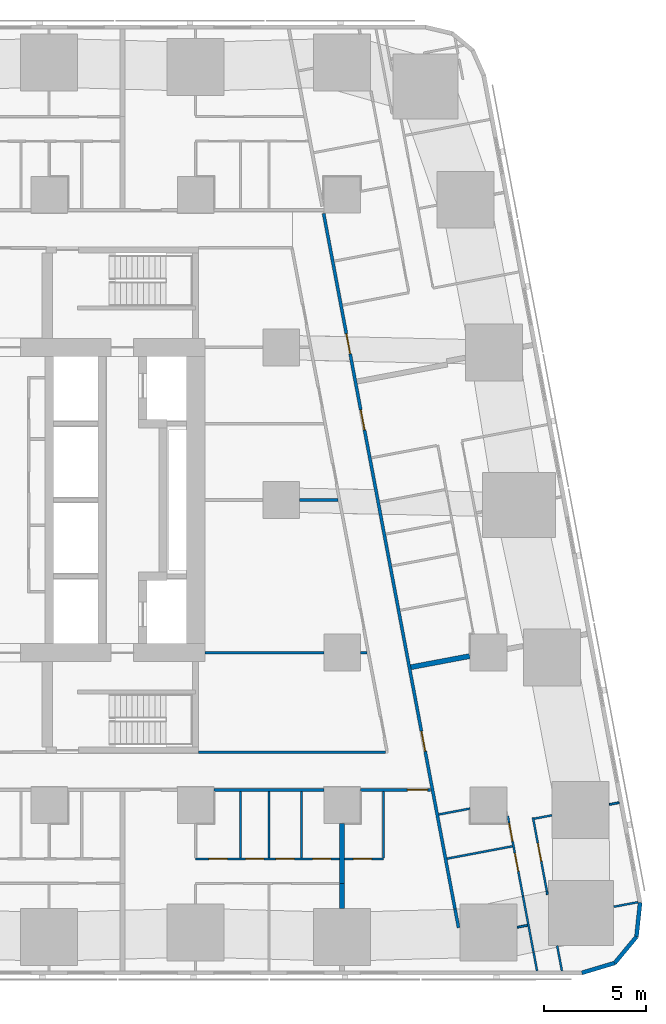
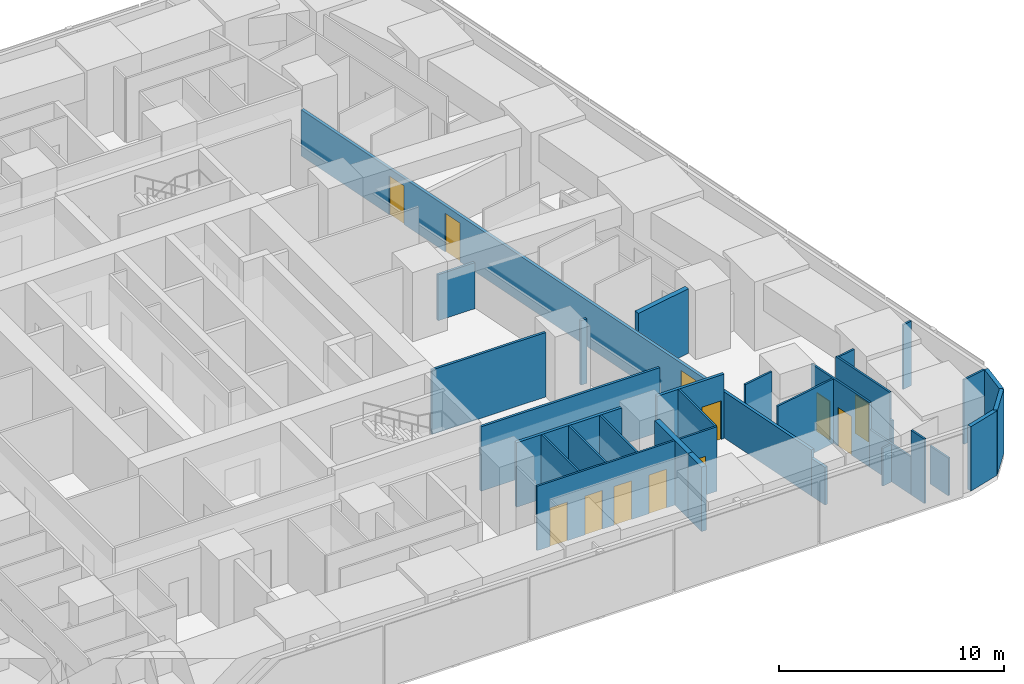
# One storey, part 9 of 18: 32 walls, 12 doors, 12 openings.
"""IFC4 building model written with IfcOpenShell, lengths in metres."""

from ifc_helpers import new_model, si_unit, direction, frame, frame_2d, origin, place, context, subcontext, project, spatial, rectangle, extrude, material, layer, layer_set, type_object, element, fill, save


model = new_model("IFC4")

# Units and contexts
model_context = context("Model", 3, precision=1e-05, world=origin(), true_north=direction((0.0, 1.0)))
body_context = subcontext(model_context, "Body", "Model", "MODEL_VIEW")
ifc_project = project(units=[si_unit("LENGTHUNIT", "METRE"), si_unit("AREAUNIT", "SQUARE_METRE"), si_unit("VOLUMEUNIT", "CUBIC_METRE"), si_unit("PLANEANGLEUNIT", "RADIAN"), si_unit("MASSUNIT", "GRAM", prefix="KILO")], contexts=[model_context])

# Site, building, storey
site_placement = place(None, origin())
site = spatial("IfcSite", under=ifc_project, at=site_placement, CompositionType="ELEMENT")
building_placement = place(site_placement, origin())
building = spatial("IfcBuilding", under=site, at=building_placement, Name="Sheger Commons Tower", CompositionType="ELEMENT")
storey_placement = place(building_placement, frame((0.0, 0.0, 38.75)))
storey = spatial("IfcBuildingStorey", under=building, at=storey_placement, Name="L09", CompositionType="ELEMENT", Elevation=38.75)

# Wall, opening, door
ifc_material_1 = material(Name="Hollow concrete block masonry, skimmed both sides", Category="masonry")
ifc_layer_1 = layer(ifc_material_1, 0.14990234375)
ifc_layer_set_1 = layer_set([ifc_layer_1], Name="CORRIDOR WALL 150")
wall_type_1 = type_object("IfcWallType", Name="CORRIDOR WALL 150", PredefinedType="SOLIDWALL", material=ifc_layer_set_1)
wall_1_placement = place(storey_placement, frame((40.35498046875, 8.25, 0.0), z_axis=(0.0, 0.0, 1.0), x_axis=(-1.0, 0.0, 0.0)))
wall_1 = element("IfcWall", 1, at=wall_1_placement, inside=storey, type_object=wall_type_1, Name="Corridor wall L09", PredefinedType="SOLIDWALL", context=body_context, shape_type="SweptSolid", body=[
    extrude(rectangle(XDim=3.4541015625, YDim=0.14990234375, at=frame_2d((1.72705078125, 0.0))), origin(), (0.0, 0.0, 1.0), 3.5),
])
opening_1_placement = place(wall_1_placement, frame((0.14990234375, 0.0, 0.0)))
opening_1 = element("IfcOpeningElement", 2, at=opening_1_placement, cuts=wall_1, Name="Opening D1", PredefinedType="OPENING", context=body_context, shape_type="SweptSolid", body=[
    extrude(rectangle(XDim=1.0, YDim=2.10009765625, at=frame_2d((0.5, 1.050048828125))), frame((0.0, 0.0849609375, 0.0), z_axis=(0.0, -1.0, 0.0), x_axis=(1.0, 0.0, 0.0)), (0.0, 0.0, 1.0), 0.169921875),
])
ifc_material_2 = material(Name="Steel door set, fire rated", Category="steel")
door_type_1 = type_object("IfcDoorType", Name="FLAT ENTRANCE DOOR 1000x2100", OperationType="NOTDEFINED", PredefinedType="DOOR", material=ifc_material_2)
door_1_placement = place(opening_1_placement, origin())
door_1 = element("IfcDoor", 3, at=door_1_placement, inside=storey, type_object=door_type_1, Name="Flat entrance door", OperationType="SINGLE_SWING_LEFT", OverallHeight=2.10009765625, OverallWidth=1.0, PredefinedType="DOOR", context=body_context, shape_type="SweptSolid", body=[
    extrude(rectangle(XDim=1.0, YDim=2.10009765625, at=frame_2d((0.5, 1.050048828125))), frame((0.0, 0.02490234375, 0.0), z_axis=(0.0, -1.0, 0.0), x_axis=(1.0, 0.0, 0.0)), (0.0, 0.0, 1.0), 0.050048828125),
])
fill(opening_1, door_1)

# Wall
wall_2_placement = place(storey_placement, frame((35.09912109375, 8.25, 0.0), z_axis=(0.0, 0.0, 1.0), x_axis=(-1.0, 0.0, 0.0)))
element("IfcWall", 4, at=wall_2_placement, inside=storey, type_object=wall_type_1, Name="Corridor wall L09", PredefinedType="SOLIDWALL", context=body_context, shape_type="SweptSolid", body=[
    extrude(rectangle(XDim=5.398193359375, YDim=0.14990234375, at=frame_2d((2.69921875, 0.0))), origin(), (0.0, 0.0, 1.0), 3.5),
])

# Wall, openings, doors
wall_3_placement = place(storey_placement, frame((35.093994140625, 36.5849609375, 0.0), z_axis=(0.0, 0.0, 1.0), x_axis=(0.185588860311, -0.982627485331, 0.0)))
wall_3 = element("IfcWall", 5, at=wall_3_placement, inside=storey, type_object=wall_type_1, Name="Corridor wall L09", PredefinedType="SOLIDWALL", context=body_context, shape_type="SweptSolid", body=[
    extrude(rectangle(XDim=34.79736328125, YDim=0.14990234375, at=frame_2d((17.398681640625, 0.0))), origin(), (0.0, 0.0, 1.0), 2.5),
])
opening_2_placement = place(wall_3_placement, frame((6.011962890625, 0.0, 0.0)))
opening_2 = element("IfcOpeningElement", 6, at=opening_2_placement, cuts=wall_3, Name="Opening D1", PredefinedType="OPENING", context=body_context, shape_type="SweptSolid", body=[
    extrude(rectangle(XDim=1.0, YDim=2.10009765625, at=frame_2d((0.5, 1.050048828125))), frame((0.0, 0.0849609375, 0.0), z_axis=(0.0, -1.0, 0.0), x_axis=(1.0, 0.0, 0.0)), (0.0, 0.0, 1.0), 0.169921875),
])
opening_3_placement = place(wall_3_placement, frame((9.827880859375, 0.0, 0.0)))
opening_3 = element("IfcOpeningElement", 7, at=opening_3_placement, cuts=wall_3, Name="Opening D1", PredefinedType="OPENING", context=body_context, shape_type="SweptSolid", body=[
    extrude(rectangle(XDim=1.0, YDim=2.10009765625, at=frame_2d((0.5, 1.050048828125))), frame((0.0, 0.0849609375, 0.0), z_axis=(0.0, -1.0, 0.0), x_axis=(1.0, 0.0, 0.0)), (0.0, 0.0, 1.0), 0.169921875),
])
opening_4_placement = place(wall_3_placement, frame((25.89990234375, 0.0, 0.0)))
opening_4 = element("IfcOpeningElement", 8, at=opening_4_placement, cuts=wall_3, Name="Opening D1", PredefinedType="OPENING", context=body_context, shape_type="SweptSolid", body=[
    extrude(rectangle(XDim=1.0, YDim=2.10009765625, at=frame_2d((0.5, 1.050048828125))), frame((0.0, 0.0849609375, 0.0), z_axis=(0.0, -1.0, 0.0), x_axis=(1.0, 0.0, 0.0)), (0.0, 0.0, 1.0), 0.169921875),
])
door_2_placement = place(opening_2_placement, origin())
door_2 = element("IfcDoor", 9, at=door_2_placement, inside=storey, type_object=door_type_1, Name="Flat entrance door", OperationType="SINGLE_SWING_RIGHT", OverallHeight=2.10009765625, OverallWidth=1.0, PredefinedType="DOOR", context=body_context, shape_type="SweptSolid", body=[
    extrude(rectangle(XDim=1.0, YDim=2.10009765625, at=frame_2d((0.5, 1.050048828125))), frame((0.0, 0.02490234375, 0.0), z_axis=(0.0, -1.0, 0.0), x_axis=(1.0, 0.0, 0.0)), (0.0, 0.0, 1.0), 0.050048828125),
])
fill(opening_2, door_2)
door_3_placement = place(opening_3_placement, origin())
door_3 = element("IfcDoor", 10, at=door_3_placement, inside=storey, type_object=door_type_1, Name="Flat entrance door", OperationType="SINGLE_SWING_LEFT", OverallHeight=2.10009765625, OverallWidth=1.0, PredefinedType="DOOR", context=body_context, shape_type="SweptSolid", body=[
    extrude(rectangle(XDim=1.0, YDim=2.10009765625, at=frame_2d((0.5, 1.050048828125))), frame((0.0, 0.02490234375, 0.0), z_axis=(0.0, -1.0, 0.0), x_axis=(1.0, 0.0, 0.0)), (0.0, 0.0, 1.0), 0.050048828125),
])
fill(opening_3, door_3)
door_4_placement = place(opening_4_placement, origin())
door_4 = element("IfcDoor", 11, at=door_4_placement, inside=storey, type_object=door_type_1, Name="Flat entrance door", OperationType="SINGLE_SWING_LEFT", OverallHeight=2.10009765625, OverallWidth=1.0, PredefinedType="DOOR", context=body_context, shape_type="SweptSolid", body=[
    extrude(rectangle(XDim=1.0, YDim=2.10009765625, at=frame_2d((0.5, 1.050048828125))), frame((0.0, 0.02490234375, 0.0), z_axis=(0.0, -1.0, 0.0), x_axis=(1.0, 0.0, 0.0)), (0.0, 0.0, 1.0), 0.050048828125),
])
fill(opening_4, door_4)

# Walls
wall_4_placement = place(storey_placement, frame((41.552001953125, 2.39208984375, 0.0), z_axis=(0.0, 0.0, 1.0), x_axis=(0.185687800081, -0.982608793417, 0.0)))
element("IfcWall", 12, at=wall_4_placement, inside=storey, type_object=wall_type_1, Name="Corridor wall L09", PredefinedType="SOLIDWALL", context=body_context, shape_type="SweptSolid", body=[
    extrude(rectangle(XDim=0.9375, YDim=0.14990234375, at=frame_2d((0.46875, 0.0))), origin(), (0.0, 0.0, 1.0), 2.050048828125),
])
ifc_material_3 = material(Name="Dense concrete block masonry, plastered both sides (separating wall between flats)", Category="masonry")
ifc_layer_2 = layer(ifc_material_3, 0.25)
ifc_layer_set_2 = layer_set([ifc_layer_2], Name="DEMISING WALL 250")
wall_type_2 = type_object("IfcWallType", Name="DEMISING WALL 250", PredefinedType="SOLIDWALL", material=ifc_layer_set_2)
wall_5_placement = place(storey_placement, frame((36.0, 2.426025390625, 0.0), z_axis=(0.0, 0.0, 1.0), x_axis=(0.0, 1.0, 0.0)))
element("IfcWall", 13, at=wall_5_placement, inside=storey, type_object=wall_type_2, Name="Demising wall L09", PredefinedType="SOLIDWALL", context=body_context, shape_type="SweptSolid", body=[
    extrude(rectangle(XDim=1.223876953125, YDim=0.25, at=frame_2d((0.61181640625, 0.0))), origin(), (0.0, 0.0, 1.0), 3.5),
])
wall_6_placement = place(storey_placement, frame((36.0, 3.64990234375, 0.0), z_axis=(0.0, 0.0, 1.0), x_axis=(0.0, 1.0, 0.0)))
element("IfcWall", 14, at=wall_6_placement, inside=storey, type_object=wall_type_2, Name="Demising wall L09", PredefinedType="SOLIDWALL", context=body_context, shape_type="SweptSolid", body=[
    extrude(rectangle(XDim=2.94921875, YDim=0.25, at=frame_2d((1.474609375, 0.0))), origin(), (0.0, 0.0, 1.0), 3.5),
])
wall_7_placement = place(storey_placement, frame((42.27587890625, 14.824951171875, 0.0), z_axis=(0.0, 0.0, 1.0), x_axis=(-0.982656521819, -0.185435056358, 0.0)))
element("IfcWall", 15, at=wall_7_placement, inside=storey, type_object=wall_type_2, Name="Demising wall L09", PredefinedType="SOLIDWALL", context=body_context, shape_type="SweptSolid", body=[
    extrude(rectangle(XDim=2.94384765625, YDim=0.25, at=frame_2d((1.471923828125, 0.0))), origin(), (0.0, 0.0, 1.0), 3.5),
])
ifc_material_4 = material(Name="Rendered concrete block masonry, dark grey", Category="masonry")
ifc_layer_3 = layer(ifc_material_4, 0.199951171875)
ifc_layer_set_3 = layer_set([ifc_layer_3], Name="FACADE WALL 200")
wall_type_3 = type_object("IfcWallType", Name="FACADE WALL 200", PredefinedType="SOLIDWALL", material=ifc_layer_set_3)
wall_8_placement = place(storey_placement, frame((47.791015625, -0.75, 0.0), z_axis=(0.0, 0.0, 1.0), x_axis=(0.957455232626, 0.288581838509, 0.0)))
element("IfcWall", 16, at=wall_8_placement, inside=storey, type_object=wall_type_3, Name="Facade wall L09", PredefinedType="SOLIDWALL", context=body_context, shape_type="SweptSolid", body=[
    extrude(rectangle(XDim=1.687744140625, YDim=0.199951171875, at=frame_2d((0.84375, 0.0))), origin(), (0.0, 0.0, 1.0), 3.5),
])
wall_9_placement = place(storey_placement, frame((49.406982421875, -0.262939453125, 0.0), z_axis=(0.0, 0.0, 1.0), x_axis=(0.638042593423, 0.770001070764, 0.0)))
element("IfcWall", 17, at=wall_9_placement, inside=storey, type_object=wall_type_3, Name="Facade wall L09", PredefinedType="SOLIDWALL", context=body_context, shape_type="SweptSolid", body=[
    extrude(rectangle(XDim=1.672607421875, YDim=0.199951171875, at=frame_2d((0.83642578125, 0.0))), origin(), (0.0, 0.0, 1.0), 3.5),
])
wall_10_placement = place(storey_placement, frame((50.47412109375, 1.02490234375, 0.0), z_axis=(0.0, 0.0, 1.0), x_axis=(0.106047815515, 0.994361031429, 0.0)))
element("IfcWall", 18, at=wall_10_placement, inside=storey, type_object=wall_type_3, Name="Facade wall L09", PredefinedType="SOLIDWALL", context=body_context, shape_type="SweptSolid", body=[
    extrude(rectangle(XDim=1.6875, YDim=0.199951171875, at=frame_2d((0.84375, 0.0))), origin(), (0.0, 0.0, 1.0), 3.5),
])

# Wall, openings, doors
ifc_material_5 = material(Name="Gypsum board on steel studs", Category="steel")
ifc_layer_4 = layer(ifc_material_5, 0.10009765625)
ifc_layer_set_4 = layer_set([ifc_layer_4], Name="PARTITION 100")
wall_type_4 = type_object("IfcWallType", Name="PARTITION 100", PredefinedType="PARTITIONING", material=ifc_layer_set_4)
wall_11_placement = place(storey_placement, frame((35.875, 4.85009765625, 0.0), z_axis=(0.0, 0.0, 1.0), x_axis=(-1.0, 0.0, 0.0)))
wall_11 = element("IfcWall", 19, at=wall_11_placement, inside=storey, type_object=wall_type_4, Name="Partition L09", PredefinedType="PARTITIONING", context=body_context, shape_type="SweptSolid", body=[
    extrude(rectangle(XDim=7.074951171875, YDim=0.10009765625, at=frame_2d((3.53759765625, 0.0))), origin(), (0.0, 0.0, 1.0), 3.5),
])
opening_5_placement = place(wall_11_placement, frame((5.52001953125, 0.0, 0.0)))
opening_5 = element("IfcOpeningElement", 20, at=opening_5_placement, cuts=wall_11, Name="Opening D2", PredefinedType="OPENING", context=body_context, shape_type="SweptSolid", body=[
    extrude(rectangle(XDim=0.89990234375, YDim=2.10009765625, at=frame_2d((0.449951171875, 1.050048828125))), frame((0.0, 0.06005859375, 0.0), z_axis=(0.0, -1.0, 0.0), x_axis=(1.0, 0.0, 0.0)), (0.0, 0.0, 1.0), 0.1201171875),
])
opening_6_placement = place(wall_11_placement, frame((2.22509765625, 0.0, 0.0)))
opening_6 = element("IfcOpeningElement", 21, at=opening_6_placement, cuts=wall_11, Name="Opening D2", PredefinedType="OPENING", context=body_context, shape_type="SweptSolid", body=[
    extrude(rectangle(XDim=0.89990234375, YDim=2.10009765625, at=frame_2d((0.449951171875, 1.050048828125))), frame((0.0, 0.06005859375, 0.0), z_axis=(0.0, -1.0, 0.0), x_axis=(1.0, 0.0, 0.0)), (0.0, 0.0, 1.0), 0.1201171875),
])
opening_7_placement = place(wall_11_placement, frame((3.719970703125, 0.0, 0.0)))
opening_7 = element("IfcOpeningElement", 22, at=opening_7_placement, cuts=wall_11, Name="Opening D2", PredefinedType="OPENING", context=body_context, shape_type="SweptSolid", body=[
    extrude(rectangle(XDim=0.89990234375, YDim=2.10009765625, at=frame_2d((0.449951171875, 1.050048828125))), frame((0.0, 0.06005859375, 0.0), z_axis=(0.0, -1.0, 0.0), x_axis=(1.0, 0.0, 0.0)), (0.0, 0.0, 1.0), 0.1201171875),
])
opening_8_placement = place(wall_11_placement, frame((0.425048828125, 0.0, 0.0)))
opening_8 = element("IfcOpeningElement", 23, at=opening_8_placement, cuts=wall_11, Name="Opening D2", PredefinedType="OPENING", context=body_context, shape_type="SweptSolid", body=[
    extrude(rectangle(XDim=0.89990234375, YDim=2.10009765625, at=frame_2d((0.449951171875, 1.050048828125))), frame((0.0, 0.06005859375, 0.0), z_axis=(0.0, -1.0, 0.0), x_axis=(1.0, 0.0, 0.0)), (0.0, 0.0, 1.0), 0.1201171875),
])
ifc_material_6 = material(Name="Timber door set", Category="wood")
door_type_2 = type_object("IfcDoorType", Name="INTERNAL DOOR 900x2100", OperationType="NOTDEFINED", PredefinedType="DOOR", material=ifc_material_6)
door_5_placement = place(opening_5_placement, origin())
door_5 = element("IfcDoor", 24, at=door_5_placement, inside=storey, type_object=door_type_2, Name="Bathroom door", OperationType="SINGLE_SWING_LEFT", OverallHeight=2.10009765625, OverallWidth=0.89990234375, PredefinedType="DOOR", context=body_context, shape_type="SweptSolid", body=[
    extrude(rectangle(XDim=0.89990234375, YDim=2.10009765625, at=frame_2d((0.449951171875, 1.050048828125))), frame((0.0, 0.02490234375, 0.0), z_axis=(0.0, -1.0, 0.0), x_axis=(1.0, 0.0, 0.0)), (0.0, 0.0, 1.0), 0.050048828125),
])
fill(opening_5, door_5)
door_6_placement = place(opening_6_placement, origin())
door_6 = element("IfcDoor", 25, at=door_6_placement, inside=storey, type_object=door_type_2, Name="Shower room door", OperationType="SINGLE_SWING_LEFT", OverallHeight=2.10009765625, OverallWidth=0.89990234375, PredefinedType="DOOR", context=body_context, shape_type="SweptSolid", body=[
    extrude(rectangle(XDim=0.89990234375, YDim=2.10009765625, at=frame_2d((0.449951171875, 1.050048828125))), frame((0.0, 0.02490234375, 0.0), z_axis=(0.0, -1.0, 0.0), x_axis=(1.0, 0.0, 0.0)), (0.0, 0.0, 1.0), 0.050048828125),
])
fill(opening_6, door_6)
door_7_placement = place(opening_7_placement, origin())
door_7 = element("IfcDoor", 26, at=door_7_placement, inside=storey, type_object=door_type_2, Name="Store door", OperationType="SINGLE_SWING_LEFT", OverallHeight=2.10009765625, OverallWidth=0.89990234375, PredefinedType="DOOR", context=body_context, shape_type="SweptSolid", body=[
    extrude(rectangle(XDim=0.89990234375, YDim=2.10009765625, at=frame_2d((0.449951171875, 1.050048828125))), frame((0.0, 0.02490234375, 0.0), z_axis=(0.0, -1.0, 0.0), x_axis=(1.0, 0.0, 0.0)), (0.0, 0.0, 1.0), 0.050048828125),
])
fill(opening_7, door_7)
door_8_placement = place(opening_8_placement, origin())
door_8 = element("IfcDoor", 27, at=door_8_placement, inside=storey, type_object=door_type_2, Name="Store door", OperationType="SINGLE_SWING_RIGHT", OverallHeight=2.10009765625, OverallWidth=0.89990234375, PredefinedType="DOOR", context=body_context, shape_type="SweptSolid", body=[
    extrude(rectangle(XDim=0.89990234375, YDim=2.10009765625, at=frame_2d((0.449951171875, 1.050048828125))), frame((0.0, 0.02490234375, 0.0), z_axis=(0.0, -1.0, 0.0), x_axis=(1.0, 0.0, 0.0)), (0.0, 0.0, 1.0), 0.050048828125),
])
fill(opening_8, door_8)

# Walls
for number, where, z_axis, x_axis, name in (
    (28, (32.39990234375, 4.89990234375, 0.0), (0.0, 0.0, 1.0), (0.0, 1.0, 0.0), "Partition L09"),
    (29, (31.010009765625, 4.89990234375, 0.0), (0.0, 0.0, 1.0), (0.0, 1.0, 0.0), "Partition L09"),
    (30, (34.0, 4.89990234375, 0.0), (0.0, 0.0, 1.0), (0.0, 1.0, 0.0), "Partition L09"),
):
    element("IfcWall", number, at=place(storey_placement, frame(where, z_axis=z_axis, x_axis=x_axis)), inside=storey, type_object=wall_type_4, Name=name, PredefinedType="PARTITIONING", context=body_context, shape_type="SweptSolid", body=[
        extrude(rectangle(XDim=3.275146484375, YDim=0.10009765625, at=frame_2d((1.6376953125, 0.0))), origin(), (0.0, 0.0, 1.0), 3.5),
    ])

# Wall, opening, door
wall_12_placement = place(storey_placement, frame((38.029052734375, 4.85009765625, 0.0), z_axis=(0.0, 0.0, 1.0), x_axis=(-1.0, 0.0, 0.0)))
wall_12 = element("IfcWall", 31, at=wall_12_placement, inside=storey, type_object=wall_type_4, Name="Partition L09", PredefinedType="PARTITIONING", context=body_context, shape_type="SweptSolid", body=[
    extrude(rectangle(XDim=1.904052734375, YDim=0.10009765625, at=frame_2d((0.9521484375, 0.0))), origin(), (0.0, 0.0, 1.0), 3.5),
])
opening_9_placement = place(wall_12_placement, frame((0.5791015625, 0.0, 0.0)))
opening_9 = element("IfcOpeningElement", 32, at=opening_9_placement, cuts=wall_12, Name="Opening D2", PredefinedType="OPENING", context=body_context, shape_type="SweptSolid", body=[
    extrude(rectangle(XDim=0.89990234375, YDim=2.10009765625, at=frame_2d((0.449951171875, 1.050048828125))), frame((0.0, 0.06005859375, 0.0), z_axis=(0.0, -1.0, 0.0), x_axis=(1.0, 0.0, 0.0)), (0.0, 0.0, 1.0), 0.1201171875),
])
door_9_placement = place(opening_9_placement, origin())
door_9 = element("IfcDoor", 33, at=door_9_placement, inside=storey, type_object=door_type_2, Name="Shower room door", OperationType="SINGLE_SWING_LEFT", OverallHeight=2.10009765625, OverallWidth=0.89990234375, PredefinedType="DOOR", context=body_context, shape_type="SweptSolid", body=[
    extrude(rectangle(XDim=0.89990234375, YDim=2.10009765625, at=frame_2d((0.449951171875, 1.050048828125))), frame((0.0, 0.02490234375, 0.0), z_axis=(0.0, -1.0, 0.0), x_axis=(1.0, 0.0, 0.0)), (0.0, 0.0, 1.0), 0.050048828125),
])
fill(opening_9, door_9)

# Wall
wall_13_placement = place(storey_placement, frame((38.029052734375, 4.89990234375, 0.0), z_axis=(0.0, 0.0, 1.0), x_axis=(0.0, 1.0, 0.0)))
element("IfcWall", 34, at=wall_13_placement, inside=storey, type_object=wall_type_4, Name="Partition L09", PredefinedType="PARTITIONING", context=body_context, shape_type="SweptSolid", body=[
    extrude(rectangle(XDim=3.275146484375, YDim=0.10009765625, at=frame_2d((1.6376953125, 0.0))), origin(), (0.0, 0.0, 1.0), 3.5),
])

# Wall, opening, door
wall_14_placement = place(storey_placement, frame((45.383056640625, 6.89404296875, 0.0), z_axis=(0.0, 0.0, 1.0), x_axis=(0.185791461635, -0.982589198385, 0.0)))
wall_14 = element("IfcWall", 35, at=wall_14_placement, inside=storey, type_object=wall_type_4, Name="Partition L09", PredefinedType="PARTITIONING", context=body_context, shape_type="SweptSolid", body=[
    extrude(rectangle(XDim=3.687255859375, YDim=0.10009765625, at=frame_2d((1.84375, 0.0))), origin(), (0.0, 0.0, 1.0), 3.5),
])
opening_10_placement = place(wall_14_placement, frame((1.300048828125, 0.0, 0.0)))
opening_10 = element("IfcOpeningElement", 36, at=opening_10_placement, cuts=wall_14, Name="Opening D2", PredefinedType="OPENING", context=body_context, shape_type="SweptSolid", body=[
    extrude(rectangle(XDim=0.89990234375, YDim=2.10009765625, at=frame_2d((0.449951171875, 1.050048828125))), frame((0.0, 0.06005859375, 0.0), z_axis=(0.0, -1.0, 0.0), x_axis=(1.0, 0.0, 0.0)), (0.0, 0.0, 1.0), 0.1201171875),
])
door_10_placement = place(opening_10_placement, origin())
door_10 = element("IfcDoor", 37, at=door_10_placement, inside=storey, type_object=door_type_2, Name="Main bedroom door", OperationType="SINGLE_SWING_LEFT", OverallHeight=2.10009765625, OverallWidth=0.89990234375, PredefinedType="DOOR", context=body_context, shape_type="SweptSolid", body=[
    extrude(rectangle(XDim=0.89990234375, YDim=2.10009765625, at=frame_2d((0.449951171875, 1.050048828125))), frame((0.0, 0.02490234375, 0.0), z_axis=(0.0, -1.0, 0.0), x_axis=(1.0, 0.0, 0.0)), (0.0, 0.0, 1.0), 0.050048828125),
])
fill(opening_10, door_10)

# Walls
wall_15_placement = place(storey_placement, frame((46.068115234375, 3.27099609375, 0.0), z_axis=(0.0, 0.0, 1.0), x_axis=(0.183590240121, -0.98300286049, 0.0)))
element("IfcWall", 38, at=wall_15_placement, inside=storey, type_object=wall_type_4, Name="Partition L09", PredefinedType="PARTITIONING", context=body_context, shape_type="SweptSolid", body=[
    extrude(rectangle(XDim=0.1689453125, YDim=0.10009765625, at=frame_2d((0.08447265625, 0.0))), origin(), (0.0, 0.0, 1.0), 2.050048828125),
])
wall_16_placement = place(storey_placement, frame((46.573974609375, 0.5869140625, 0.0), z_axis=(0.0, 0.0, 1.0), x_axis=(0.185997942803, -0.98255013372, 0.0)))
element("IfcWall", 39, at=wall_16_placement, inside=storey, type_object=wall_type_4, Name="Partition L09", PredefinedType="PARTITIONING", context=body_context, shape_type="SweptSolid", body=[
    extrude(rectangle(XDim=1.2587890625, YDim=0.10009765625, at=frame_2d((0.62939453125, 0.0))), origin(), (0.0, 0.0, 1.0), 2.050048828125),
])

# Wall, openings, doors
wall_17_placement = place(storey_placement, frame((44.14892578125, 6.9599609375, 0.0), z_axis=(0.0, 0.0, 1.0), x_axis=(0.185824941804, -0.982582867245, 0.0)))
wall_17 = element("IfcWall", 40, at=wall_17_placement, inside=storey, type_object=wall_type_4, Name="Partition L09", PredefinedType="PARTITIONING", context=body_context, shape_type="SweptSolid", body=[
    extrude(rectangle(XDim=4.009765625, YDim=0.10009765625, at=frame_2d((2.0048828125, 0.0))), origin(), (0.0, 0.0, 1.0), 3.5),
])
opening_11_placement = place(wall_17_placement, frame((0.35009765625, 0.0, 0.0)))
opening_11 = element("IfcOpeningElement", 41, at=opening_11_placement, cuts=wall_17, Name="Opening D2", PredefinedType="OPENING", context=body_context, shape_type="SweptSolid", body=[
    extrude(rectangle(XDim=0.89990234375, YDim=2.10009765625, at=frame_2d((0.449951171875, 1.050048828125))), frame((0.0, 0.06005859375, 0.0), z_axis=(0.0, -1.0, 0.0), x_axis=(1.0, 0.0, 0.0)), (0.0, 0.0, 1.0), 0.1201171875),
])
opening_12_placement = place(wall_17_placement, frame((1.85595703125, 0.0, 0.0)))
opening_12 = element("IfcOpeningElement", 42, at=opening_12_placement, cuts=wall_17, Name="Opening D2", PredefinedType="OPENING", context=body_context, shape_type="SweptSolid", body=[
    extrude(rectangle(XDim=0.89990234375, YDim=2.10009765625, at=frame_2d((0.449951171875, 1.050048828125))), frame((0.0, 0.06005859375, 0.0), z_axis=(0.0, -1.0, 0.0), x_axis=(1.0, 0.0, 0.0)), (0.0, 0.0, 1.0), 0.1201171875),
])
door_11_placement = place(opening_11_placement, origin())
door_11 = element("IfcDoor", 43, at=door_11_placement, inside=storey, type_object=door_type_2, Name="Bathroom door", OperationType="SINGLE_SWING_RIGHT", OverallHeight=2.10009765625, OverallWidth=0.89990234375, PredefinedType="DOOR", context=body_context, shape_type="SweptSolid", body=[
    extrude(rectangle(XDim=0.89990234375, YDim=2.10009765625, at=frame_2d((0.449951171875, 1.050048828125))), frame((0.0, 0.02490234375, 0.0), z_axis=(0.0, -1.0, 0.0), x_axis=(1.0, 0.0, 0.0)), (0.0, 0.0, 1.0), 0.050048828125),
])
fill(opening_11, door_11)
door_12_placement = place(opening_12_placement, origin())
door_12 = element("IfcDoor", 44, at=door_12_placement, inside=storey, type_object=door_type_2, Name="Store door", OperationType="SINGLE_SWING_RIGHT", OverallHeight=2.10009765625, OverallWidth=0.89990234375, PredefinedType="DOOR", context=body_context, shape_type="SweptSolid", body=[
    extrude(rectangle(XDim=0.89990234375, YDim=2.10009765625, at=frame_2d((0.449951171875, 1.050048828125))), frame((0.0, 0.02490234375, 0.0), z_axis=(0.0, -1.0, 0.0), x_axis=(1.0, 0.0, 0.0)), (0.0, 0.0, 1.0), 0.050048828125),
])
fill(opening_12, door_12)

# Walls
wall_18_placement = place(storey_placement, frame((44.89404296875, 3.02001953125, 0.0), z_axis=(0.0, 0.0, 1.0), x_axis=(0.185471317237, -0.982649678412, 0.0)))
element("IfcWall", 45, at=wall_18_placement, inside=storey, type_object=wall_type_4, Name="Partition L09", PredefinedType="PARTITIONING", context=body_context, shape_type="SweptSolid", body=[
    extrude(rectangle(XDim=2.8037109375, YDim=0.10009765625, at=frame_2d((1.40185546875, 0.0))), origin(), (0.0, 0.0, 1.0), 2.050048828125),
])
wall_19_placement = place(storey_placement, frame((45.4140625, 0.264892578125, 0.0), z_axis=(0.0, 0.0, 1.0), x_axis=(0.185665855771, -0.982612940074, 0.0)))
element("IfcWall", 46, at=wall_19_placement, inside=storey, type_object=wall_type_4, Name="Partition L09", PredefinedType="PARTITIONING", context=body_context, shape_type="SweptSolid", body=[
    extrude(rectangle(XDim=0.930908203125, YDim=0.10009765625, at=frame_2d((0.46533203125, 0.0))), origin(), (0.0, 0.0, 1.0), 3.5),
])
wall_20_placement = place(storey_placement, frame((49.6220703125, 7.6201171875, 0.0), z_axis=(0.0, 0.0, 1.0), x_axis=(-0.982629142467, -0.185580086147, 0.0)))
element("IfcWall", 47, at=wall_20_placement, inside=storey, type_object=wall_type_4, Name="Partition L09", PredefinedType="PARTITIONING", context=body_context, shape_type="SweptSolid", body=[
    extrude(rectangle(XDim=0.49072265625, YDim=0.10009765625, at=frame_2d((0.245361328125, 0.0))), origin(), (0.0, 0.0, 1.0), 3.5),
])
wall_21_placement = place(storey_placement, frame((46.320068359375, 6.9970703125, 0.0), z_axis=(0.0, 0.0, 1.0), x_axis=(-0.982635224332, -0.185547880349, 0.0)))
element("IfcWall", 48, at=wall_21_placement, inside=storey, type_object=wall_type_4, Name="Partition L09", PredefinedType="PARTITIONING", context=body_context, shape_type="SweptSolid", body=[
    extrude(rectangle(XDim=0.889404296875, YDim=0.10009765625, at=frame_2d((0.44482421875, 0.0))), origin(), (0.0, 0.0, 1.0), 3.5),
])
wall_22_placement = place(storey_placement, frame((50.547119140625, 2.72607421875, 0.0), z_axis=(0.0, 0.0, 1.0), x_axis=(-0.982553313503, -0.185981144539, 0.0)))
element("IfcWall", 49, at=wall_22_placement, inside=storey, type_object=wall_type_4, Name="Partition L09", PredefinedType="PARTITIONING", context=body_context, shape_type="SweptSolid", body=[
    extrude(rectangle(XDim=1.210205078125, YDim=0.10009765625, at=frame_2d((0.60498046875, 0.0))), origin(), (0.0, 0.0, 1.0), 3.5),
])
wall_23_placement = place(storey_placement, frame((42.2900390625, 7.3291015625, 0.0), z_axis=(0.0, 0.0, 1.0), x_axis=(-0.98258870752, -0.18579405764, 0.0)))
element("IfcWall", 50, at=wall_23_placement, inside=storey, type_object=wall_type_4, Name="Partition L09", PredefinedType="PARTITIONING", context=body_context, shape_type="SweptSolid", body=[
    extrude(rectangle(XDim=1.56640625, YDim=0.10009765625, at=frame_2d((0.783203125, 0.0))), origin(), (0.0, 0.0, 1.0), 3.5),
])
wall_24_placement = place(storey_placement, frame((45.114013671875, 1.5869140625, 0.0), z_axis=(0.0, 0.0, 1.0), x_axis=(-0.982699277433, -0.185208342501, 0.0)))
element("IfcWall", 51, at=wall_24_placement, inside=storey, type_object=wall_type_4, Name="Partition L09", PredefinedType="PARTITIONING", context=body_context, shape_type="SweptSolid", body=[
    extrude(rectangle(XDim=0.5126953125, YDim=0.10009765625, at=frame_2d((0.25634765625, 0.0))), origin(), (0.0, 0.0, 1.0), 2.050048828125),
])
wall_25_placement = place(storey_placement, frame((44.37890625, 5.47412109375, 0.0), z_axis=(0.0, 0.0, 1.0), x_axis=(-0.982607026909, -0.185697147715, 0.0)))
element("IfcWall", 52, at=wall_25_placement, inside=storey, type_object=wall_type_4, Name="Partition L09", PredefinedType="PARTITIONING", context=body_context, shape_type="SweptSolid", body=[
    extrude(rectangle(XDim=3.27490234375, YDim=0.10009765625, at=frame_2d((1.637451171875, 0.0))), origin(), (0.0, 0.0, 1.0), 3.5),
])
ifc_material_7 = material(Name="Gypsum board on steel studs, two layers each side, fire rated", Category="steel")
ifc_layer_5 = layer(ifc_material_7, 0.125)
ifc_layer_set_5 = layer_set([ifc_layer_5], Name="SERVICE WALL 125")
wall_type_5 = type_object("IfcWallType", Name="SERVICE WALL 125", PredefinedType="PARTITIONING", material=ifc_layer_set_5)
wall_26_placement = place(storey_placement, frame((28.949951171875, 10.10009765625, 0.0), z_axis=(0.0, 0.0, 1.0), x_axis=(1.0, 0.0, 0.0)))
element("IfcWall", 53, at=wall_26_placement, inside=storey, type_object=wall_type_5, Name="Service room wall L09", PredefinedType="PARTITIONING", context=body_context, shape_type="SweptSolid", body=[
    extrude(rectangle(XDim=9.18798828125, YDim=0.125, at=frame_2d((4.593994140625, 0.0))), origin(), (0.0, 0.0, 1.0), 3.5),
])
wall_27_placement = place(storey_placement, frame((29.25, 15.0, 0.0), z_axis=(0.0, 0.0, 1.0), x_axis=(1.0, 0.0, 0.0)))
element("IfcWall", 54, at=wall_27_placement, inside=storey, type_object=wall_type_5, Name="Service room wall L09", PredefinedType="PARTITIONING", context=body_context, shape_type="SweptSolid", body=[
    extrude(rectangle(XDim=5.84912109375, YDim=0.125, at=frame_2d((2.924560546875, 0.0))), origin(), (0.0, 0.0, 1.0), 3.5),
])
wall_28_placement = place(storey_placement, frame((36.90087890625, 15.0, 0.0), z_axis=(0.0, 0.0, 1.0), x_axis=(1.0, 0.0, 0.0)))
element("IfcWall", 55, at=wall_28_placement, inside=storey, type_object=wall_type_5, Name="Service room wall L09", PredefinedType="PARTITIONING", context=body_context, shape_type="SweptSolid", body=[
    extrude(rectangle(XDim=0.31201171875, YDim=0.125, at=frame_2d((0.156005859375, 0.0))), origin(), (0.0, 0.0, 1.0), 3.5),
])
wall_29_placement = place(storey_placement, frame((33.90087890625, 22.5, 0.0), z_axis=(0.0, 0.0, 1.0), x_axis=(1.0, 0.0, 0.0)))
element("IfcWall", 56, at=wall_29_placement, inside=storey, type_object=wall_type_5, Name="Service room wall L09", PredefinedType="PARTITIONING", context=body_context, shape_type="SweptSolid", body=[
    extrude(rectangle(XDim=1.89501953125, YDim=0.125, at=frame_2d((0.947509765625, 0.0))), origin(), (0.0, 0.0, 1.0), 2.5),
])

save(model, "model.ifc")
